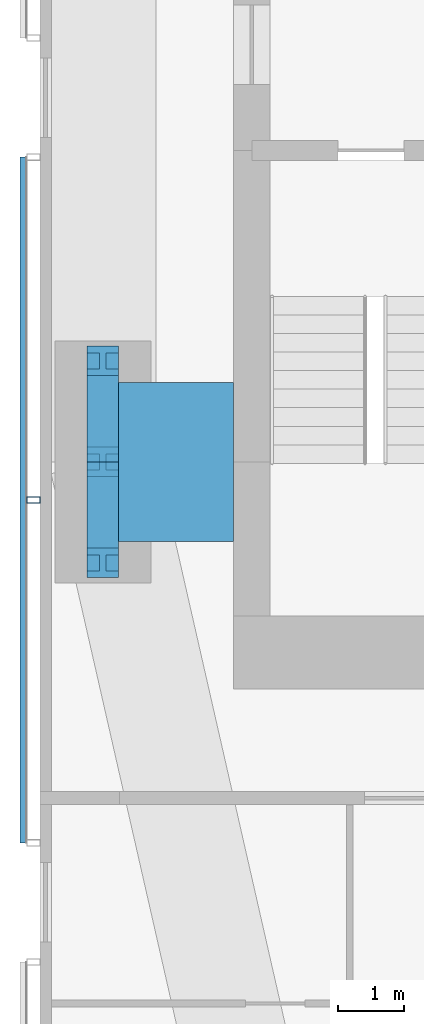
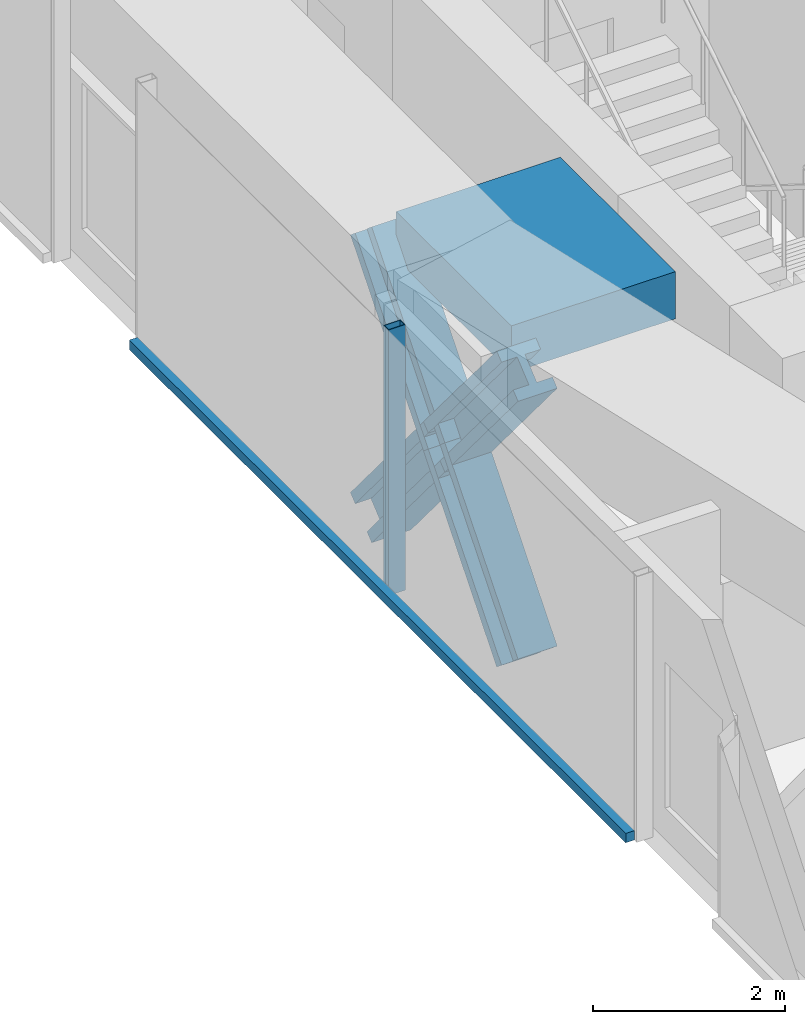
# One storey, part 4 of 19: 6 members, 1 beam, 1 element without a shape of its own.
"""IFC4 building model written with IfcOpenShell, lengths in metres."""

from ifc_helpers import new_model, si_unit, direction, frame, origin, origin_2d, place, context, subcontext, project, spatial, rectangle, hollow_rectangle, i_section, extrude, material, material_profile, profile_set, type_object, element, aggregate, save


model = new_model("IFC4")

# Units and contexts
model_context = context("Model", 3, precision=1e-05, world=origin(), true_north=direction((0.0, 1.0)))
body_context = subcontext(model_context, "Body", "Model", "MODEL_VIEW")
ifc_project = project(units=[si_unit("LENGTHUNIT", "METRE"), si_unit("AREAUNIT", "SQUARE_METRE"), si_unit("VOLUMEUNIT", "CUBIC_METRE"), si_unit("PLANEANGLEUNIT", "RADIAN"), si_unit("MASSUNIT", "GRAM", prefix="KILO")], contexts=[model_context])

# Site, building, storey
site_placement = place(None, origin())
site = spatial("IfcSite", under=ifc_project, at=site_placement, CompositionType="ELEMENT")
building_placement = place(site_placement, origin())
building = spatial("IfcBuilding", under=site, at=building_placement, Name="Jalousie Tower", CompositionType="ELEMENT")
storey_placement = place(building_placement, frame((0.0, 0.0, 217.949951171875)))
storey = spatial("IfcBuildingStorey", under=building, at=storey_placement, Name="L59", CompositionType="ELEMENT", Elevation=217.949951171875)

# Members
ifc_material_1 = material(Name="Steel ASTM A992 Grade 50", Category="steel")
ifc_material_profile_1 = material_profile(ifc_material_1, i_section(OverallWidth=0.472412109375, OverallDepth=0.5791015625, WebThickness=0.094970703125, FlangeThickness=0.1298828125, at=origin_2d()), Name="W14X808")
ifc_profile_set_1 = profile_set([ifc_material_profile_1], Name="Steel ASTM A992 Grade 50")
member_type_1 = type_object("IfcMemberType", Name="PERIMETER BRACE W14X808", PredefinedType="BRACE", material=ifc_profile_set_1)
member_1_placement = place(storey_placement, frame((17.75, 11.47509765625, -0.75), z_axis=(0.0, 0.641203686759, 0.767370726629), x_axis=(-1.0, 0.0, 0.0)))
element("IfcMember", 1, at=member_1_placement, inside=storey, type_object=member_type_1, Name="Perimeter brace 14 L59 part 1", PredefinedType="BRACE", context=body_context, shape_type="SweptSolid", body=[
    extrude(i_section(OverallWidth=0.472412109375, OverallDepth=0.5791015625, WebThickness=0.094970703125, FlangeThickness=0.1298828125, at=origin_2d()), origin(), (0.0, 0.0, 1.0), 2.378173828125),
])
member_2_placement = place(storey_placement, frame((17.75, 13.0, 1.074951171875), z_axis=(0.0, 0.641153177267, 0.767412928794), x_axis=(-1.0, 0.0, 0.0)))
element("IfcMember", 2, at=member_2_placement, inside=storey, type_object=member_type_1, Name="Perimeter brace 14 L59 part 2", PredefinedType="BRACE", context=body_context, shape_type="SweptSolid", body=[
    extrude(i_section(OverallWidth=0.472412109375, OverallDepth=0.5791015625, WebThickness=0.094970703125, FlangeThickness=0.1298828125, at=origin_2d()), origin(), (0.0, 0.0, 1.0), 2.37841796875),
])
member_3_placement = place(storey_placement, frame((17.75, 14.52490234375, -0.75), z_axis=(0.0, -0.641203686759, 0.767370726629), x_axis=(1.0, 0.0, 0.0)))
element("IfcMember", 3, at=member_3_placement, inside=storey, type_object=member_type_1, Name="Perimeter brace 14 L59 part 3", PredefinedType="BRACE", context=body_context, shape_type="SweptSolid", body=[
    extrude(i_section(OverallWidth=0.472412109375, OverallDepth=0.5791015625, WebThickness=0.094970703125, FlangeThickness=0.1298828125, at=origin_2d()), origin(), (0.0, 0.0, 1.0), 2.378173828125),
])
member_4_placement = place(storey_placement, frame((17.75, 13.0, 1.074951171875), z_axis=(0.0, -0.641153177267, 0.767412928794), x_axis=(1.0, 0.0, 0.0)))
element("IfcMember", 4, at=member_4_placement, inside=storey, type_object=member_type_1, Name="Perimeter brace 14 L59 part 4", PredefinedType="BRACE", context=body_context, shape_type="SweptSolid", body=[
    extrude(i_section(OverallWidth=0.472412109375, OverallDepth=0.5791015625, WebThickness=0.094970703125, FlangeThickness=0.1298828125, at=origin_2d()), origin(), (0.0, 0.0, 1.0), 2.37841796875),
])

# Beam
ifc_material_2 = material(Name="Concrete f'c 40 MPa", Category="concrete")
ifc_material_profile_2 = material_profile(ifc_material_2, rectangle(XDim=2.39990234375, YDim=0.60009765625, at=origin_2d()), Name="RC 2400x600")
ifc_profile_set_2 = profile_set([ifc_material_profile_2], Name="Concrete f'c 40 MPa")
beam_type = type_object("IfcBeamType", Name="RC BEAM 2400x600", PredefinedType="BEAM", material=ifc_profile_set_2)
beam_placement = place(storey_placement, frame((17.75, 13.0, 2.9599609375), z_axis=(1.0, 0.0, 0.0), x_axis=(0.0, 1.0, 0.0)))
element("IfcBeam", 5, at=beam_placement, inside=storey, type_object=beam_type, Name="Floor band beam under L60", PredefinedType="BEAM", context=body_context, shape_type="SweptSolid", body=[
    extrude(rectangle(XDim=2.39990234375, YDim=0.60009765625, at=origin_2d()), origin(), (0.0, 0.0, 1.0), 1.97509765625),
])

# Curtain wall, members
ifc_material_3 = material(Name="Perforated aluminium sheet", Category="aluminium")
curtain_wall_type = type_object("IfcCurtainWallType", Name="SOLAR SCREEN SS-2", PredefinedType="USERDEFINED", material=ifc_material_3)
curtain_wall_placement = place(storey_placement, origin())
curtain_wall = element("IfcCurtainWall", 6, at=curtain_wall_placement, inside=storey, type_object=curtain_wall_type, Name="Solar screen L59", ObjectType="SOLAR SCREEN SS-2", PredefinedType="USERDEFINED")
ifc_material_4 = material(Name="Steel ASTM A500 Grade C", Category="steel")
ifc_material_profile_3 = material_profile(ifc_material_4, hollow_rectangle(XDim=0.1015625, YDim=0.203125, WallThickness=0.0078125, at=origin_2d()), Name="HSS8X4X5/16")
ifc_profile_set_3 = profile_set([ifc_material_profile_3], Name="Steel ASTM A500 Grade C")
member_type_2 = type_object("IfcMemberType", Name="SOLAR SCREEN SS-2 MULLION", PredefinedType="MULLION", material=ifc_profile_set_3)
member_5_placement = place(storey_placement, frame((16.703369140625, 12.425048828125, -0.119873046875), z_axis=(0.0, 0.0, 1.0), x_axis=(0.0, -1.0, 0.0)))
member_5 = element("IfcMember", 7, at=member_5_placement, type_object=member_type_2, Name="SS2 post 2", PredefinedType="MULLION", context=body_context, shape_type="SweptSolid", body=[
    extrude(hollow_rectangle(XDim=0.1015625, YDim=0.203125, WallThickness=0.0078125, at=origin_2d()), origin(), (0.0, 0.0, 1.0), 3.3798828125),
])
ifc_material_5 = material(Name="Extruded aluminium screen rail", Category="aluminium")
ifc_material_profile_4 = material_profile(ifc_material_5, rectangle(XDim=0.1015625, YDim=0.1201171875, at=origin_2d()), Name="RAIL 102x120")
ifc_profile_set_4 = profile_set([ifc_material_profile_4], Name="Extruded aluminium screen rail")
member_type_3 = type_object("IfcMemberType", Name="SOLAR SCREEN SS-2 TRANSOM", PredefinedType="USERDEFINED", material=ifc_profile_set_4)
member_6_placement = place(storey_placement, frame((16.551025390625, 17.60009765625, -0.06005859375), z_axis=(0.0, -1.0, 0.0), x_axis=(1.0, 0.0, 0.0)))
member_6 = element("IfcMember", 8, at=member_6_placement, type_object=member_type_3, Name="SS2 rail", ObjectType="TRANSOM", PredefinedType="USERDEFINED", context=body_context, shape_type="SweptSolid", body=[
    extrude(rectangle(XDim=0.1015625, YDim=0.1201171875, at=origin_2d()), origin(), (0.0, 0.0, 1.0), 10.35009765625),
])
aggregate(curtain_wall, [member_5, member_6])

save(model, "model.ifc")
